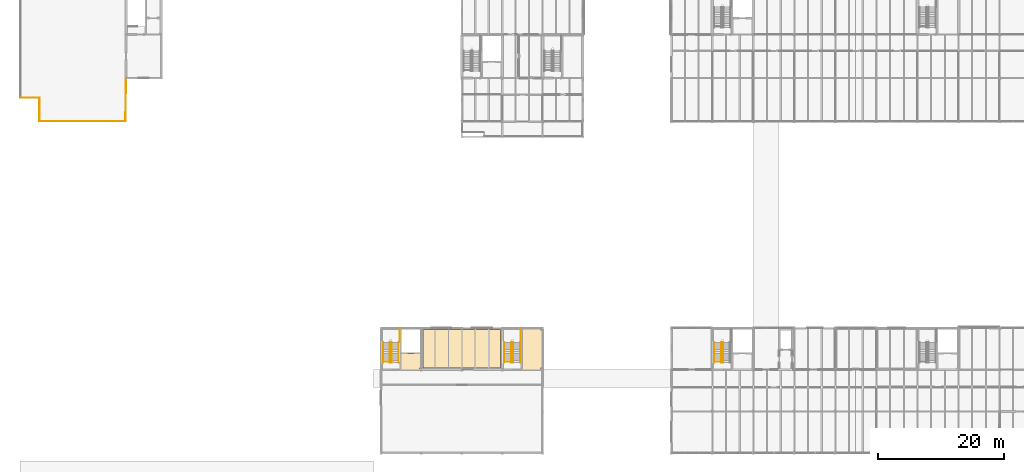
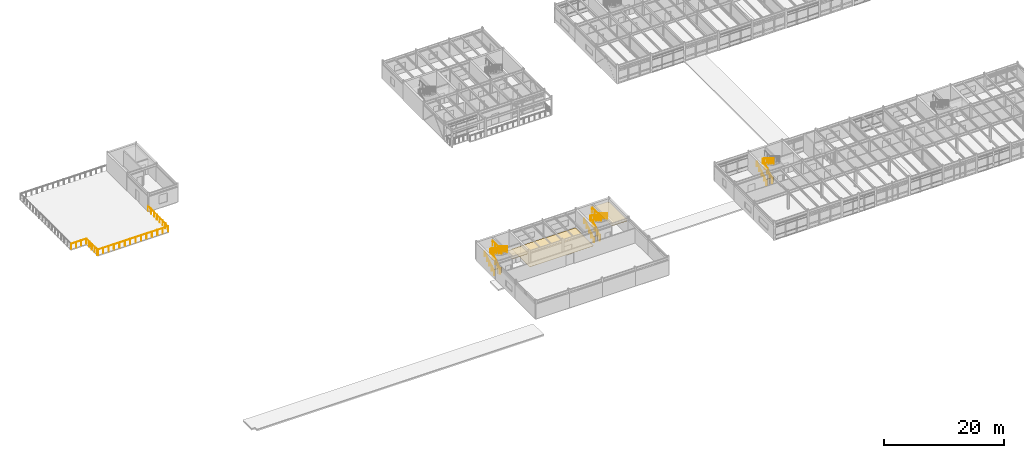
# One storey, part 45 of 49: 20 railings, 3 coverings.
"""IFC4 building model written with IfcOpenShell, lengths in metres."""

from ifc_helpers import new_model, si_unit, direction, frame, origin, origin_2d, place, context, subcontext, project, spatial, polyline, circle, outline, extrude, material, layer, layer_set, type_object, element, save


model = new_model("IFC4")

# Units and contexts
model_context = context("Model", 3, precision=1e-05, world=origin(), true_north=direction((0.0, 1.0)))
body_context = subcontext(model_context, "Body", "Model", "MODEL_VIEW")
ifc_project = project(units=[si_unit("LENGTHUNIT", "METRE"), si_unit("AREAUNIT", "SQUARE_METRE"), si_unit("VOLUMEUNIT", "CUBIC_METRE"), si_unit("PLANEANGLEUNIT", "RADIAN"), si_unit("MASSUNIT", "GRAM", prefix="KILO")], contexts=[model_context])

# Site, building, storey
site_placement = place(None, origin())
site = spatial("IfcSite", under=ifc_project, at=site_placement, CompositionType="ELEMENT")
building_placement = place(site_placement, origin())
building = spatial("IfcBuilding", under=site, at=building_placement, Name="Trelmorton Wharf Fire Station", CompositionType="ELEMENT")
storey_placement = place(building_placement, frame((0.0, 0.0, 9.60009765625)))
storey = spatial("IfcBuildingStorey", under=building, at=storey_placement, Name="L02", CompositionType="ELEMENT", Elevation=9.60009765625)

# Coverings
ifc_material_1 = material(Name="Mineral fibre acoustic ceiling")
ifc_layer_1 = layer(ifc_material_1, 0.02001953125)
ifc_layer_set_1 = layer_set([ifc_layer_1], Name="Mineral fibre acoustic ceiling")
covering_type_1 = type_object("IfcCoveringType", Name="CV_CEIL_ACOU", PredefinedType="CEILING", material=ifc_layer_set_1)
covering_1_placement = place(storey_placement, frame((0.0, 0.0, 2.97998046875)))
element("IfcCovering", 1, at=covering_1_placement, inside=storey, type_object=covering_type_1, Name="CV-CLG-005", PredefinedType="CEILING", context=body_context, shape_type="SweptSolid", body=[
    extrude(outline(polyline([(61.159912109375, 21.0400390625), (61.159912109375, 23.56005859375), (64.360107421875, 23.56005859375), (64.360107421875, 21.300048828125), (64.10009765625, 21.300048828125), (64.10009765625, 21.0400390625), (61.159912109375, 21.0400390625)])), origin(), (0.0, 0.0, 1.0), 0.02001953125),
])
covering_2_placement = place(storey_placement, frame((0.0, 0.0, 2.97998046875)))
element("IfcCovering", 2, at=covering_2_placement, inside=storey, type_object=covering_type_1, Name="CV-CLG-009", PredefinedType="CEILING", context=body_context, shape_type="SweptSolid", body=[
    extrude(outline(polyline([(80.360107421875, 27.56005859375), (83.300048828125, 27.56005859375), (83.300048828125, 27.300048828125), (83.56005859375, 27.300048828125), (83.56005859375, 21.300048828125), (83.300048828125, 21.300048828125), (83.300048828125, 21.0400390625), (80.360107421875, 21.0400390625), (80.360107421875, 27.56005859375)])), origin(), (0.0, 0.0, 1.0), 0.02001953125),
])
ifc_material_2 = material(Name="Quarry tile wet-area flooring")
ifc_layer_2 = layer(ifc_material_2, 0.02001953125)
ifc_layer_set_2 = layer_set([ifc_layer_2], Name="Quarry tile wet-area flooring")
covering_type_2 = type_object("IfcCoveringType", Name="CV_FLOR_TILE", PredefinedType="FLOORING", material=ifc_layer_set_2)
covering_3_placement = place(storey_placement, origin())
element("IfcCovering", 3, at=covering_3_placement, inside=storey, type_object=covering_type_2, Name="CV-FLR-005", PredefinedType="FLOORING", context=body_context, shape_type="SweptSolid", body=[
    extrude(outline(polyline([(76.949951171875, 21.25), (76.949951171875, 27.35009765625), (64.64990234375, 27.35009765625), (64.64990234375, 21.25), (76.949951171875, 21.25)])), origin(), (0.0, 0.0, 1.0), 0.02001953125),
])

# Railings
ifc_material_3 = material(Name="Stainless steel 316 marine grade", Category="steel")
railing_type_1 = type_object("IfcRailingType", Name="RL_BAL_TERR", PredefinedType="BALUSTRADE", material=ifc_material_3)
railing_1_placement = place(storey_placement, frame((17.599609375, 67.159912109375, 0.0)))
element("IfcRailing", 4, at=railing_1_placement, inside=storey, type_object=railing_type_1, Name="RL-DECK-L02-046", PredefinedType="BALUSTRADE", context=body_context, shape_type="SweptSolid", body=[
    extrude(circle(Radius=0.02392578125, at=origin_2d()), frame((0.0, 0.0, 1.09619140625), z_axis=(-0.011735345704, -0.99993113846, 0.0), x_axis=(0.99993113846, -0.011735345704, 0.0)), (0.0, 0.0, 1.0), 6.740478515625),
    extrude(circle(Radius=0.02099609375, at=origin_2d()), origin(), (0.0, 0.0, 1.0), 1.072021484375),
    extrude(circle(Radius=0.02099609375, at=origin_2d()), frame((-0.01123046875, -0.962890625, 0.0)), (0.0, 0.0, 1.0), 1.072021484375),
    extrude(circle(Radius=0.02099609375, at=origin_2d()), frame((-0.022705078125, -1.92578125, 0.0)), (0.0, 0.0, 1.0), 1.072021484375),
    extrude(circle(Radius=0.02099609375, at=origin_2d()), frame((-0.033935546875, -2.888671875, 0.0)), (0.0, 0.0, 1.0), 1.072021484375),
    extrude(circle(Radius=0.02099609375, at=origin_2d()), frame((-0.045166015625, -3.851318359375, 0.0)), (0.0, 0.0, 1.0), 1.072021484375),
    extrude(circle(Radius=0.02099609375, at=origin_2d()), frame((-0.056396484375, -4.814208984375, 0.0)), (0.0, 0.0, 1.0), 1.072021484375),
    extrude(circle(Radius=0.02099609375, at=origin_2d()), frame((-0.06787109375, -5.777099609375, 0.0)), (0.0, 0.0, 1.0), 1.072021484375),
    extrude(circle(Radius=0.02099609375, at=origin_2d()), frame((-0.0791015625, -6.739990234375, 0.0)), (0.0, 0.0, 1.0), 1.072021484375),
])
railing_2_placement = place(storey_placement, frame((17.47998046875, 60.3798828125, 0.0)))
element("IfcRailing", 5, at=railing_2_placement, inside=storey, type_object=railing_type_1, Name="RL-DECK-L02-047", PredefinedType="BALUSTRADE", context=body_context, shape_type="SweptSolid", body=[
    extrude(circle(Radius=0.02392578125, at=origin_2d()), frame((0.0, 0.0, 1.09619140625), z_axis=(-1.0, 0.0, 0.0), x_axis=(0.0, -1.0, 0.0)), (0.0, 0.0, 1.0), 13.56005859375),
    extrude(circle(Radius=0.02099609375, at=origin_2d()), origin(), (0.0, 0.0, 1.0), 1.072021484375),
    extrude(circle(Radius=0.02099609375, at=origin_2d()), frame((-1.04296875, 0.0, 0.0)), (0.0, 0.0, 1.0), 1.072021484375),
    extrude(circle(Radius=0.02099609375, at=origin_2d()), frame((-2.086181640625, 0.0, 0.0)), (0.0, 0.0, 1.0), 1.072021484375),
    extrude(circle(Radius=0.02099609375, at=origin_2d()), frame((-3.129150390625, 0.0, 0.0)), (0.0, 0.0, 1.0), 1.072021484375),
    extrude(circle(Radius=0.02099609375, at=origin_2d()), frame((-4.17236328125, 0.0, 0.0)), (0.0, 0.0, 1.0), 1.072021484375),
    extrude(circle(Radius=0.02099609375, at=origin_2d()), frame((-5.21533203125, 0.0, 0.0)), (0.0, 0.0, 1.0), 1.072021484375),
    extrude(circle(Radius=0.02099609375, at=origin_2d()), frame((-6.258544921875, 0.0, 0.0)), (0.0, 0.0, 1.0), 1.072021484375),
    extrude(circle(Radius=0.02099609375, at=origin_2d()), frame((-7.301513671875, 0.0, 0.0)), (0.0, 0.0, 1.0), 1.072021484375),
    extrude(circle(Radius=0.02099609375, at=origin_2d()), frame((-8.3447265625, 0.0, 0.0)), (0.0, 0.0, 1.0), 1.072021484375),
    extrude(circle(Radius=0.02099609375, at=origin_2d()), frame((-9.3876953125, 0.0, 0.0)), (0.0, 0.0, 1.0), 1.072021484375),
    extrude(circle(Radius=0.02099609375, at=origin_2d()), frame((-10.430908203125, 0.0, 0.0)), (0.0, 0.0, 1.0), 1.072021484375),
    extrude(circle(Radius=0.02099609375, at=origin_2d()), frame((-11.473876953125, 0.0, 0.0)), (0.0, 0.0, 1.0), 1.072021484375),
    extrude(circle(Radius=0.02099609375, at=origin_2d()), frame((-12.51708984375, 0.0, 0.0)), (0.0, 0.0, 1.0), 1.072021484375),
    extrude(circle(Radius=0.02099609375, at=origin_2d()), frame((-13.56005859375, 0.0, 0.0)), (0.0, 0.0, 1.0), 1.072021484375),
])
railing_3_placement = place(storey_placement, frame((3.8798828125, 60.419921875, 0.0)))
element("IfcRailing", 6, at=railing_3_placement, inside=storey, type_object=railing_type_1, Name="RL-DECK-L02-048", PredefinedType="BALUSTRADE", context=body_context, shape_type="SweptSolid", body=[
    extrude(circle(Radius=0.02392578125, at=origin_2d()), frame((0.0, 0.0, 1.09619140625), z_axis=(0.0, 1.0, 0.0), x_axis=(-1.0, 0.0, 0.0)), (0.0, 0.0, 1.0), 3.64013671875),
    extrude(circle(Radius=0.02099609375, at=origin_2d()), origin(), (0.0, 0.0, 1.0), 1.072021484375),
    extrude(circle(Radius=0.02099609375, at=origin_2d()), frame((0.0, 0.91015625, 0.0)), (0.0, 0.0, 1.0), 1.072021484375),
    extrude(circle(Radius=0.02099609375, at=origin_2d()), frame((0.0, 1.820068359375, 0.0)), (0.0, 0.0, 1.0), 1.072021484375),
    extrude(circle(Radius=0.02099609375, at=origin_2d()), frame((0.0, 2.72998046875, 0.0)), (0.0, 0.0, 1.0), 1.072021484375),
    extrude(circle(Radius=0.02099609375, at=origin_2d()), frame((0.0, 3.64013671875, 0.0)), (0.0, 0.0, 1.0), 1.072021484375),
])
railing_4_placement = place(storey_placement, frame((3.840087890625, 64.10009765625, 0.0)))
element("IfcRailing", 7, at=railing_4_placement, inside=storey, type_object=railing_type_1, Name="RL-DECK-L02-049", PredefinedType="BALUSTRADE", context=body_context, shape_type="SweptSolid", body=[
    extrude(circle(Radius=0.02392578125, at=origin_2d()), frame((0.0, 0.0, 1.09619140625), z_axis=(-1.0, 0.0, 0.0), x_axis=(0.0, -1.0, 0.0)), (0.0, 0.0, 1.0), 2.920166015625),
    extrude(circle(Radius=0.02099609375, at=origin_2d()), origin(), (0.0, 0.0, 1.0), 1.072021484375),
    extrude(circle(Radius=0.02099609375, at=origin_2d()), frame((-0.973388671875, 0.0, 0.0)), (0.0, 0.0, 1.0), 1.072021484375),
    extrude(circle(Radius=0.02099609375, at=origin_2d()), frame((-1.94677734375, 0.0, 0.0)), (0.0, 0.0, 1.0), 1.072021484375),
    extrude(circle(Radius=0.02099609375, at=origin_2d()), frame((-2.920166015625, 0.0, 0.0)), (0.0, 0.0, 1.0), 1.072021484375),
])
railing_type_2 = type_object("IfcRailingType", Name="RL_HAND_900", PredefinedType="HANDRAIL", material=ifc_material_3)
for number, where, name in (
    (8, (58.31005859375, 22.139892578125, 0.0), "RL-HR1-STR-C2-L02-04"),
    (9, (77.510009765625, 22.139892578125, 0.0), "RL-HR1-STR-C2B-L02-07"),
    (10, (110.81005859375, 22.139892578125, 0.0), "RL-HR1-STR-C3-L02-10"),
):
    element("IfcRailing", number, at=place(storey_placement, frame(where)), inside=storey, type_object=railing_type_2, Name=name, PredefinedType="HANDRAIL", context=body_context, shape_type="SweptSolid", body=[
        extrude(circle(Radius=0.02099609375, at=origin_2d()), frame((0.0, 0.0, 0.87890625), z_axis=(0.0, 0.853235021851, 0.521526602856), x_axis=(-1.0, 0.0, 0.0)), (0.0, 0.0, 1.0), 3.739013671875),
        extrude(circle(Radius=0.02099609375, at=origin_2d()), origin(), (0.0, 0.0, 1.0), 0.85791015625),
        extrude(circle(Radius=0.02099609375, at=origin_2d()), frame((0.0, 0.797607421875, 0.487548828125)), (0.0, 0.0, 1.0), 0.85791015625),
        extrude(circle(Radius=0.02099609375, at=origin_2d()), frame((0.0, 1.59521484375, 0.97509765625)), (0.0, 0.0, 1.0), 0.85791015625),
        extrude(circle(Radius=0.02099609375, at=origin_2d()), frame((0.0, 2.392578125, 1.46240234375)), (0.0, 0.0, 1.0), 0.85791015625),
        extrude(circle(Radius=0.02099609375, at=origin_2d()), frame((0.0, 3.190185546875, 1.949951171875)), (0.0, 0.0, 1.0), 0.85791015625),
    ])
railing_type_3 = type_object("IfcRailingType", Name="RL_WELL_1100", PredefinedType="BALUSTRADE", material=ifc_material_3)
railing_5_placement = place(storey_placement, frame((58.360107421875, 22.260009765625, 0.0)))
element("IfcRailing", 11, at=railing_5_placement, inside=storey, type_object=railing_type_3, Name="RL-UPWELL-STR-C2-L01-03", PredefinedType="BALUSTRADE", context=body_context, shape_type="SweptSolid", body=[
    extrude(circle(Radius=0.02392578125, at=origin_2d()), frame((0.0, 0.0, 1.09619140625), z_axis=(1.0, 0.0, 0.0), x_axis=(0.0, 1.0, 0.0)), (0.0, 0.0, 1.0), 1.3798828125),
    extrude(circle(Radius=0.02099609375, at=origin_2d()), origin(), (0.0, 0.0, 1.0), 1.072021484375),
    extrude(circle(Radius=0.02099609375, at=origin_2d()), frame((0.68994140625, 0.0, 0.0)), (0.0, 0.0, 1.0), 1.072021484375),
    extrude(circle(Radius=0.02099609375, at=origin_2d()), frame((1.3798828125, 0.0, 0.0)), (0.0, 0.0, 1.0), 1.072021484375),
])
railing_6_placement = place(storey_placement, frame((60.955078125, 27.35498046875, 1.949951171875)))
element("IfcRailing", 12, at=railing_6_placement, inside=storey, type_object=railing_type_3, Name="RL-GW-OUT1-STR-C2-L02-04", PredefinedType="BALUSTRADE", context=body_context, shape_type="SweptSolid", body=[
    extrude(circle(Radius=0.02392578125, at=origin_2d()), frame((0.0, 0.0, 1.09619140625), z_axis=(0.0, -1.0, 0.0), x_axis=(1.0, 0.0, 0.0)), (0.0, 0.0, 1.0), 1.98486328125),
    extrude(circle(Radius=0.02099609375, at=origin_2d()), origin(), (0.0, 0.0, 1.0), 1.072021484375),
    extrude(circle(Radius=0.02099609375, at=origin_2d()), frame((0.0, -0.992431640625, 0.0)), (0.0, 0.0, 1.0), 1.072021484375),
    extrude(circle(Radius=0.02099609375, at=origin_2d()), frame((0.0, -1.98486328125, 0.0)), (0.0, 0.0, 1.0), 1.072021484375),
])
railing_7_placement = place(storey_placement, frame((60.81005859375, 25.330078125, 1.949951171875)))
element("IfcRailing", 13, at=railing_7_placement, inside=storey, type_object=railing_type_3, Name="RL-GW-OUT2-STR-C2-L02-04", PredefinedType="BALUSTRADE", context=body_context, shape_type="SweptSolid", body=[
    extrude(circle(Radius=0.02392578125, at=origin_2d()), frame((0.0, 0.0, 1.09619140625), z_axis=(0.0, -0.853235021851, 0.521526602856), x_axis=(1.0, 0.0, 0.0)), (0.0, 0.0, 1.0), 3.739013671875),
    extrude(circle(Radius=0.02099609375, at=origin_2d()), origin(), (0.0, 0.0, 1.0), 1.072021484375),
    extrude(circle(Radius=0.02099609375, at=origin_2d()), frame((0.0, -0.797607421875, 0.487548828125)), (0.0, 0.0, 1.0), 1.072021484375),
    extrude(circle(Radius=0.02099609375, at=origin_2d()), frame((0.0, -1.59521484375, 0.97509765625)), (0.0, 0.0, 1.0), 1.072021484375),
    extrude(circle(Radius=0.02099609375, at=origin_2d()), frame((0.0, -2.392578125, 1.46240234375)), (0.0, 0.0, 1.0), 1.072021484375),
    extrude(circle(Radius=0.02099609375, at=origin_2d()), frame((0.0, -3.190185546875, 1.949951171875)), (0.0, 0.0, 1.0), 1.072021484375),
])
railing_8_placement = place(storey_placement, frame((59.409912109375, 22.139892578125, 0.0)))
element("IfcRailing", 14, at=railing_8_placement, inside=storey, type_object=railing_type_3, Name="RL-GW-IN1-STR-C2-L02-04", PredefinedType="BALUSTRADE", context=body_context, shape_type="SweptSolid", body=[
    extrude(circle(Radius=0.02392578125, at=origin_2d()), frame((0.0, 0.0, 1.09619140625), z_axis=(0.0, 0.853235021851, 0.521526602856), x_axis=(-1.0, 0.0, 0.0)), (0.0, 0.0, 1.0), 3.739013671875),
    extrude(circle(Radius=0.02099609375, at=origin_2d()), origin(), (0.0, 0.0, 1.0), 1.072021484375),
    extrude(circle(Radius=0.02099609375, at=origin_2d()), frame((0.0, 0.797607421875, 0.487548828125)), (0.0, 0.0, 1.0), 1.072021484375),
    extrude(circle(Radius=0.02099609375, at=origin_2d()), frame((0.0, 1.59521484375, 0.97509765625)), (0.0, 0.0, 1.0), 1.072021484375),
    extrude(circle(Radius=0.02099609375, at=origin_2d()), frame((0.0, 2.392578125, 1.46240234375)), (0.0, 0.0, 1.0), 1.072021484375),
    extrude(circle(Radius=0.02099609375, at=origin_2d()), frame((0.0, 3.190185546875, 1.949951171875)), (0.0, 0.0, 1.0), 1.072021484375),
])
railing_9_placement = place(storey_placement, frame((59.7099609375, 25.330078125, 1.949951171875)))
element("IfcRailing", 15, at=railing_9_placement, inside=storey, type_object=railing_type_3, Name="RL-GW-IN2-STR-C2-L02-04", PredefinedType="BALUSTRADE", context=body_context, shape_type="SweptSolid", body=[
    extrude(circle(Radius=0.02392578125, at=origin_2d()), frame((0.0, 0.0, 1.09619140625), z_axis=(0.0, -0.853235021851, 0.521526602856), x_axis=(1.0, 0.0, 0.0)), (0.0, 0.0, 1.0), 3.739013671875),
    extrude(circle(Radius=0.02099609375, at=origin_2d()), origin(), (0.0, 0.0, 1.0), 1.072021484375),
    extrude(circle(Radius=0.02099609375, at=origin_2d()), frame((0.0, -0.797607421875, 0.487548828125)), (0.0, 0.0, 1.0), 1.072021484375),
    extrude(circle(Radius=0.02099609375, at=origin_2d()), frame((0.0, -1.59521484375, 0.97509765625)), (0.0, 0.0, 1.0), 1.072021484375),
    extrude(circle(Radius=0.02099609375, at=origin_2d()), frame((0.0, -2.392578125, 1.46240234375)), (0.0, 0.0, 1.0), 1.072021484375),
    extrude(circle(Radius=0.02099609375, at=origin_2d()), frame((0.0, -3.190185546875, 1.949951171875)), (0.0, 0.0, 1.0), 1.072021484375),
])
railing_10_placement = place(storey_placement, frame((77.56005859375, 22.260009765625, 0.0)))
element("IfcRailing", 16, at=railing_10_placement, inside=storey, type_object=railing_type_3, Name="RL-UPWELL-STR-C2B-L01-06", PredefinedType="BALUSTRADE", context=body_context, shape_type="SweptSolid", body=[
    extrude(circle(Radius=0.02392578125, at=origin_2d()), frame((0.0, 0.0, 1.09619140625), z_axis=(1.0, 0.0, 0.0), x_axis=(0.0, 1.0, 0.0)), (0.0, 0.0, 1.0), 1.33984375),
    extrude(circle(Radius=0.02099609375, at=origin_2d()), origin(), (0.0, 0.0, 1.0), 1.072021484375),
    extrude(circle(Radius=0.02099609375, at=origin_2d()), frame((0.669921875, 0.0, 0.0)), (0.0, 0.0, 1.0), 1.072021484375),
    extrude(circle(Radius=0.02099609375, at=origin_2d()), frame((1.33984375, 0.0, 0.0)), (0.0, 0.0, 1.0), 1.072021484375),
])
railing_11_placement = place(storey_placement, frame((80.155029296875, 27.35498046875, 1.949951171875)))
element("IfcRailing", 17, at=railing_11_placement, inside=storey, type_object=railing_type_3, Name="RL-GW-OUT1-STR-C2B-L02-07", PredefinedType="BALUSTRADE", context=body_context, shape_type="SweptSolid", body=[
    extrude(circle(Radius=0.02392578125, at=origin_2d()), frame((0.0, 0.0, 1.09619140625), z_axis=(0.0, -1.0, 0.0), x_axis=(1.0, 0.0, 0.0)), (0.0, 0.0, 1.0), 1.98486328125),
    extrude(circle(Radius=0.02099609375, at=origin_2d()), origin(), (0.0, 0.0, 1.0), 1.072021484375),
    extrude(circle(Radius=0.02099609375, at=origin_2d()), frame((0.0, -0.992431640625, 0.0)), (0.0, 0.0, 1.0), 1.072021484375),
    extrude(circle(Radius=0.02099609375, at=origin_2d()), frame((0.0, -1.98486328125, 0.0)), (0.0, 0.0, 1.0), 1.072021484375),
])
railing_12_placement = place(storey_placement, frame((80.090087890625, 25.330078125, 1.949951171875)))
element("IfcRailing", 18, at=railing_12_placement, inside=storey, type_object=railing_type_3, Name="RL-GW-OUT2-STR-C2B-L02-07", PredefinedType="BALUSTRADE", context=body_context, shape_type="SweptSolid", body=[
    extrude(circle(Radius=0.02392578125, at=origin_2d()), frame((0.0, 0.0, 1.09619140625), z_axis=(0.0, -0.853235021851, 0.521526602856), x_axis=(1.0, 0.0, 0.0)), (0.0, 0.0, 1.0), 3.739013671875),
    extrude(circle(Radius=0.02099609375, at=origin_2d()), origin(), (0.0, 0.0, 1.0), 1.072021484375),
    extrude(circle(Radius=0.02099609375, at=origin_2d()), frame((0.0, -0.797607421875, 0.487548828125)), (0.0, 0.0, 1.0), 1.072021484375),
    extrude(circle(Radius=0.02099609375, at=origin_2d()), frame((0.0, -1.59521484375, 0.97509765625)), (0.0, 0.0, 1.0), 1.072021484375),
    extrude(circle(Radius=0.02099609375, at=origin_2d()), frame((0.0, -2.392578125, 1.46240234375)), (0.0, 0.0, 1.0), 1.072021484375),
    extrude(circle(Radius=0.02099609375, at=origin_2d()), frame((0.0, -3.190185546875, 1.949951171875)), (0.0, 0.0, 1.0), 1.072021484375),
])
railing_13_placement = place(storey_placement, frame((78.64990234375, 22.139892578125, 0.0)))
element("IfcRailing", 19, at=railing_13_placement, inside=storey, type_object=railing_type_3, Name="RL-GW-IN1-STR-C2B-L02-07", PredefinedType="BALUSTRADE", context=body_context, shape_type="SweptSolid", body=[
    extrude(circle(Radius=0.02392578125, at=origin_2d()), frame((0.0, 0.0, 1.09619140625), z_axis=(0.0, 0.853235021851, 0.521526602856), x_axis=(-1.0, 0.0, 0.0)), (0.0, 0.0, 1.0), 3.739013671875),
    extrude(circle(Radius=0.02099609375, at=origin_2d()), origin(), (0.0, 0.0, 1.0), 1.072021484375),
    extrude(circle(Radius=0.02099609375, at=origin_2d()), frame((0.0, 0.797607421875, 0.487548828125)), (0.0, 0.0, 1.0), 1.072021484375),
    extrude(circle(Radius=0.02099609375, at=origin_2d()), frame((0.0, 1.59521484375, 0.97509765625)), (0.0, 0.0, 1.0), 1.072021484375),
    extrude(circle(Radius=0.02099609375, at=origin_2d()), frame((0.0, 2.392578125, 1.46240234375)), (0.0, 0.0, 1.0), 1.072021484375),
    extrude(circle(Radius=0.02099609375, at=origin_2d()), frame((0.0, 3.190185546875, 1.949951171875)), (0.0, 0.0, 1.0), 1.072021484375),
])
railing_14_placement = place(storey_placement, frame((78.949951171875, 25.330078125, 1.949951171875)))
element("IfcRailing", 20, at=railing_14_placement, inside=storey, type_object=railing_type_3, Name="RL-GW-IN2-STR-C2B-L02-07", PredefinedType="BALUSTRADE", context=body_context, shape_type="SweptSolid", body=[
    extrude(circle(Radius=0.02392578125, at=origin_2d()), frame((0.0, 0.0, 1.09619140625), z_axis=(0.0, -0.853235021851, 0.521526602856), x_axis=(1.0, 0.0, 0.0)), (0.0, 0.0, 1.0), 3.739013671875),
    extrude(circle(Radius=0.02099609375, at=origin_2d()), origin(), (0.0, 0.0, 1.0), 1.072021484375),
    extrude(circle(Radius=0.02099609375, at=origin_2d()), frame((0.0, -0.797607421875, 0.487548828125)), (0.0, 0.0, 1.0), 1.072021484375),
    extrude(circle(Radius=0.02099609375, at=origin_2d()), frame((0.0, -1.59521484375, 0.97509765625)), (0.0, 0.0, 1.0), 1.072021484375),
    extrude(circle(Radius=0.02099609375, at=origin_2d()), frame((0.0, -2.392578125, 1.46240234375)), (0.0, 0.0, 1.0), 1.072021484375),
    extrude(circle(Radius=0.02099609375, at=origin_2d()), frame((0.0, -3.190185546875, 1.949951171875)), (0.0, 0.0, 1.0), 1.072021484375),
])
railing_15_placement = place(storey_placement, frame((110.860107421875, 22.260009765625, 0.0)))
element("IfcRailing", 21, at=railing_15_placement, inside=storey, type_object=railing_type_3, Name="RL-UPWELL-STR-C3-L01-09", PredefinedType="BALUSTRADE", context=body_context, shape_type="SweptSolid", body=[
    extrude(circle(Radius=0.02392578125, at=origin_2d()), frame((0.0, 0.0, 1.09619140625), z_axis=(1.0, 0.0, 0.0), x_axis=(0.0, 1.0, 0.0)), (0.0, 0.0, 1.0), 1.3798828125),
    extrude(circle(Radius=0.02099609375, at=origin_2d()), origin(), (0.0, 0.0, 1.0), 1.072021484375),
    extrude(circle(Radius=0.02099609375, at=origin_2d()), frame((0.68994140625, 0.0, 0.0)), (0.0, 0.0, 1.0), 1.072021484375),
    extrude(circle(Radius=0.02099609375, at=origin_2d()), frame((1.3798828125, 0.0, 0.0)), (0.0, 0.0, 1.0), 1.072021484375),
])
railing_16_placement = place(storey_placement, frame((111.909912109375, 22.139892578125, 0.0)))
element("IfcRailing", 22, at=railing_16_placement, inside=storey, type_object=railing_type_3, Name="RL-GW-IN1-STR-C3-L02-10", PredefinedType="BALUSTRADE", context=body_context, shape_type="SweptSolid", body=[
    extrude(circle(Radius=0.02392578125, at=origin_2d()), frame((0.0, 0.0, 1.09619140625), z_axis=(0.0, 0.853235021851, 0.521526602856), x_axis=(-1.0, 0.0, 0.0)), (0.0, 0.0, 1.0), 3.739013671875),
    extrude(circle(Radius=0.02099609375, at=origin_2d()), origin(), (0.0, 0.0, 1.0), 1.072021484375),
    extrude(circle(Radius=0.02099609375, at=origin_2d()), frame((0.0, 0.797607421875, 0.487548828125)), (0.0, 0.0, 1.0), 1.072021484375),
    extrude(circle(Radius=0.02099609375, at=origin_2d()), frame((0.0, 1.59521484375, 0.97509765625)), (0.0, 0.0, 1.0), 1.072021484375),
    extrude(circle(Radius=0.02099609375, at=origin_2d()), frame((0.0, 2.392578125, 1.46240234375)), (0.0, 0.0, 1.0), 1.072021484375),
    extrude(circle(Radius=0.02099609375, at=origin_2d()), frame((0.0, 3.190185546875, 1.949951171875)), (0.0, 0.0, 1.0), 1.072021484375),
])
railing_17_placement = place(storey_placement, frame((112.2099609375, 25.330078125, 1.949951171875)))
element("IfcRailing", 23, at=railing_17_placement, inside=storey, type_object=railing_type_3, Name="RL-GW-IN2-STR-C3-L02-10", PredefinedType="BALUSTRADE", context=body_context, shape_type="SweptSolid", body=[
    extrude(circle(Radius=0.02392578125, at=origin_2d()), frame((0.0, 0.0, 1.09619140625), z_axis=(0.0, -0.853235021851, 0.521526602856), x_axis=(1.0, 0.0, 0.0)), (0.0, 0.0, 1.0), 3.739013671875),
    extrude(circle(Radius=0.02099609375, at=origin_2d()), origin(), (0.0, 0.0, 1.0), 1.072021484375),
    extrude(circle(Radius=0.02099609375, at=origin_2d()), frame((0.0, -0.797607421875, 0.487548828125)), (0.0, 0.0, 1.0), 1.072021484375),
    extrude(circle(Radius=0.02099609375, at=origin_2d()), frame((0.0, -1.59521484375, 0.97509765625)), (0.0, 0.0, 1.0), 1.072021484375),
    extrude(circle(Radius=0.02099609375, at=origin_2d()), frame((0.0, -2.392578125, 1.46240234375)), (0.0, 0.0, 1.0), 1.072021484375),
    extrude(circle(Radius=0.02099609375, at=origin_2d()), frame((0.0, -3.190185546875, 1.949951171875)), (0.0, 0.0, 1.0), 1.072021484375),
])

save(model, "model.ifc")
